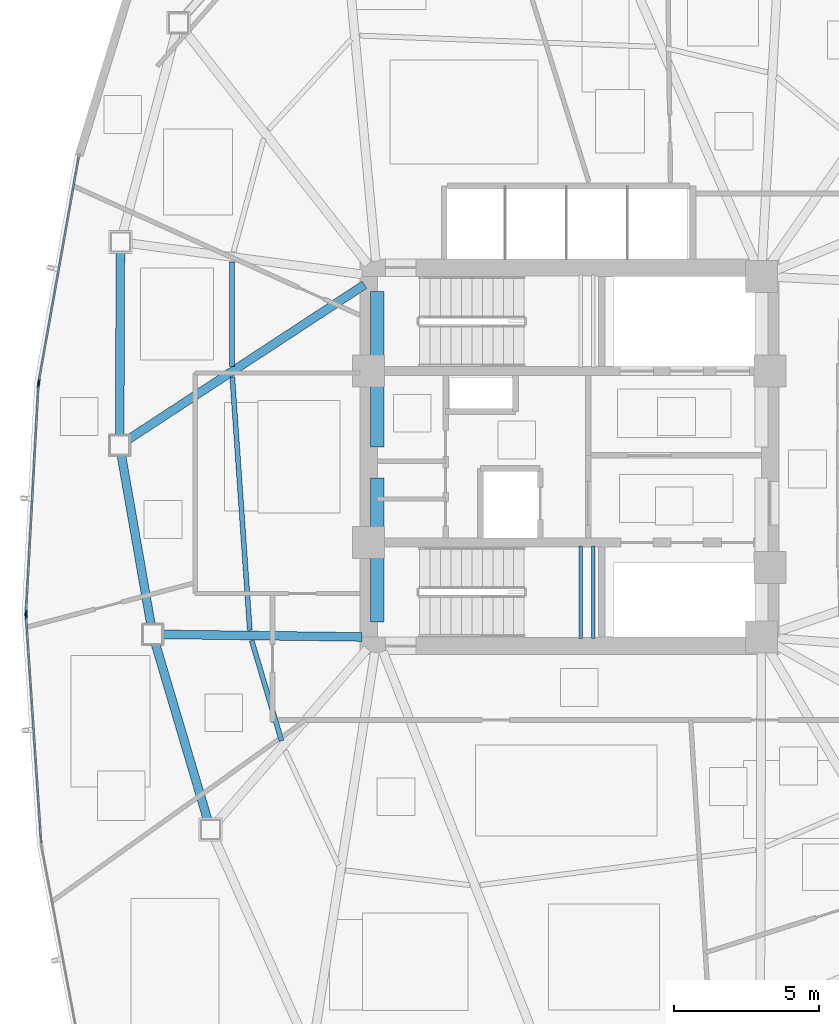
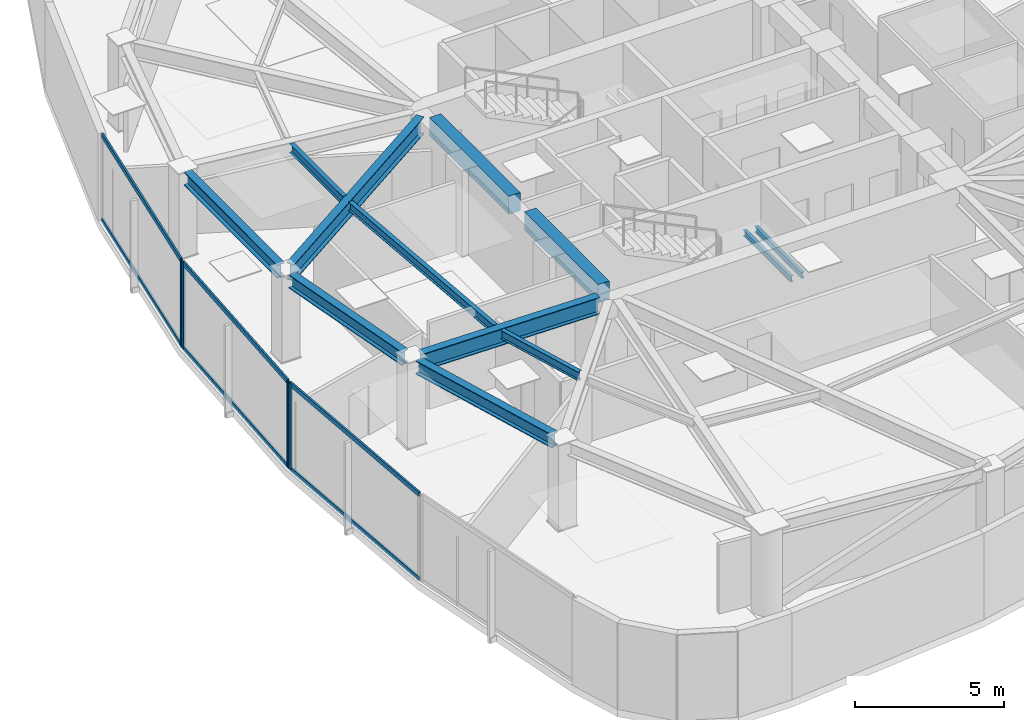
# One storey, part 4 of 17: 12 beams, 10 members, 3 elements without a shape of their own.
"""IFC4 building model written with IfcOpenShell, lengths in metres."""

from ifc_helpers import new_model, si_unit, direction, frame, origin, origin_2d, place, context, subcontext, project, spatial, rectangle, hollow_rectangle, i_section, extrude, source, transform, mapped, material, layer, layer_set, material_profile, profile_set, type_object, type_shapes, element, aggregate, save


model = new_model("IFC4")

# Units and contexts
model_context = context("Model", 3, precision=1e-05, world=origin(), true_north=direction((0.0, 1.0)))
body_context = subcontext(model_context, "Body", "Model", "MODEL_VIEW")
ifc_project = project(units=[si_unit("LENGTHUNIT", "METRE"), si_unit("AREAUNIT", "SQUARE_METRE"), si_unit("VOLUMEUNIT", "CUBIC_METRE"), si_unit("PLANEANGLEUNIT", "RADIAN"), si_unit("MASSUNIT", "GRAM", prefix="KILO")], contexts=[model_context])

# Site, building, storey
site_placement = place(None, origin())
site = spatial("IfcSite", under=ifc_project, at=site_placement, CompositionType="ELEMENT")
building_placement = place(site_placement, origin())
building = spatial("IfcBuilding", under=site, at=building_placement, Name="Tavelor Broadcast Tower", CompositionType="ELEMENT")
storey_placement = place(building_placement, frame((0.0, 0.0, 131.0)))
storey = spatial("IfcBuildingStorey", under=building, at=storey_placement, Name="L30", CompositionType="ELEMENT", Elevation=131.0)

# Beams
ifc_material_1 = material(Name="Concrete C40/50", Category="concrete")
ifc_material_profile_1 = material_profile(ifc_material_1, rectangle(XDim=0.449951171875, YDim=0.75, at=origin_2d()), Name="RC 450x750")
ifc_profile_set_1 = profile_set([ifc_material_profile_1], Name="Concrete C40/50")
beam_type_1 = type_object("IfcBeamType", Name="Basement Core Trim Beam 450x750", PredefinedType="BEAM", material=ifc_profile_set_1)
beam_1_placement = place(storey_placement, frame((43.39990234375, 45.327880859375, 3.175048828125), z_axis=(0.0, 1.0, 0.0), x_axis=(-1.0, 0.0, 0.0)))
element("IfcBeam", 1, at=beam_1_placement, inside=storey, type_object=beam_type_1, Name="L30 Core West-N Tie Girder", PredefinedType="BEAM", context=body_context, shape_type="SweptSolid", body=[
    extrude(rectangle(XDim=0.449951171875, YDim=0.75, at=origin_2d()), origin(), (0.0, 0.0, 1.0), 5.34423828125),
])
beam_2_placement = place(storey_placement, frame((43.39990234375, 39.327880859375, 3.175048828125), z_axis=(0.0, 1.0, 0.0), x_axis=(-1.0, 0.0, 0.0)))
element("IfcBeam", 2, at=beam_2_placement, inside=storey, type_object=beam_type_1, Name="L30 Core West-S Tie Girder", PredefinedType="BEAM", context=body_context, shape_type="SweptSolid", body=[
    extrude(rectangle(XDim=0.449951171875, YDim=0.75, at=origin_2d()), origin(), (0.0, 0.0, 1.0), 4.944091796875),
])
ifc_material_2 = material(Name="Steel S355", Category="steel")
ifc_material_profile_2 = material_profile(ifc_material_2, i_section(OverallWidth=0.169921875, OverallDepth=0.360107421875, WebThickness=0.008056640625, FlangeThickness=0.0126953125, at=origin_2d()), Name="IPE 360")
ifc_profile_set_2 = profile_set([ifc_material_profile_2], Name="Steel S355")
beam_type_2 = type_object("IfcBeamType", Name="Composite Floor Joist T3 IPE 360", PredefinedType="JOIST", material=ifc_profile_set_2)
beam_3_placement = place(storey_placement, frame((38.413818359375, 51.685302734375, 3.3701171875), z_axis=(-0.002320654457, -0.999997307278, 0.0), x_axis=(0.999997307278, -0.002320654457, 0.0)))
element("IfcBeam", 3, at=beam_3_placement, inside=storey, type_object=beam_type_2, Name="L30 Secondary Composite Floor Joist 03", PredefinedType="JOIST", context=body_context, shape_type="SweptSolid", body=[
    extrude(i_section(OverallWidth=0.169921875, OverallDepth=0.360107421875, WebThickness=0.008056640625, FlangeThickness=0.0126953125, at=origin_2d()), origin(), (0.0, 0.0, 1.0), 3.576904296875),
])
beam_4_placement = place(storey_placement, frame((38.41748046875, 47.74658203125, 3.3701171875), z_axis=(0.069100565304, -0.997609699168, 0.0), x_axis=(0.997609699168, 0.069100565304, 0.0)))
element("IfcBeam", 4, at=beam_4_placement, inside=storey, type_object=beam_type_2, Name="L30 Secondary Composite Floor Joist 04", PredefinedType="JOIST", context=body_context, shape_type="SweptSolid", body=[
    extrude(i_section(OverallWidth=0.169921875, OverallDepth=0.360107421875, WebThickness=0.008056640625, FlangeThickness=0.0126953125, at=origin_2d()), origin(), (0.0, 0.0, 1.0), 8.730224609375),
])
beam_5_placement = place(storey_placement, frame((39.084716796875, 38.68310546875, 3.3701171875), z_axis=(0.285203072184, -0.958467113477, 0.0), x_axis=(0.958467113477, 0.285203072184, 0.0)))
element("IfcBeam", 5, at=beam_5_placement, inside=storey, type_object=beam_type_2, Name="L30 Secondary Composite Floor Joist 05", PredefinedType="JOIST", context=body_context, shape_type="SweptSolid", body=[
    extrude(i_section(OverallWidth=0.169921875, OverallDepth=0.360107421875, WebThickness=0.008056640625, FlangeThickness=0.0126953125, at=origin_2d()), origin(), (0.0, 0.0, 1.0), 3.593505859375),
])
ifc_material_profile_3 = material_profile(ifc_material_2, i_section(OverallWidth=0.300048828125, OverallDepth=0.550048828125, WebThickness=0.014892578125, FlangeThickness=0.029052734375, at=origin_2d()), Name="HEB 550")
ifc_profile_set_3 = profile_set([ifc_material_profile_3], Name="Steel S355")
beam_type_3 = type_object("IfcBeamType", Name="Perimeter Spandrel Beam T3 HEB 550", PredefinedType="SPANDREL", material=ifc_profile_set_3)
beam_6_placement = place(storey_placement, frame((34.57373046875, 52.043212890625, 3.27490234375), z_axis=(-0.00410245019, -0.999991584916, 0.0), x_axis=(0.999991584916, -0.00410245019, 0.0)))
element("IfcBeam", 6, at=beam_6_placement, inside=storey, type_object=beam_type_3, Name="L30 Framed-Tube Ring Spandrel 03", PredefinedType="SPANDREL", context=body_context, shape_type="SweptSolid", body=[
    extrude(i_section(OverallWidth=0.300048828125, OverallDepth=0.550048828125, WebThickness=0.014892578125, FlangeThickness=0.029052734375, at=origin_2d()), origin(), (0.0, 0.0, 1.0), 6.30810546875),
])
beam_7_placement = place(storey_placement, frame((34.604248046875, 45.068115234375, 3.27490234375), z_axis=(0.17197754126, -0.985100870623, 0.0), x_axis=(0.985100870623, 0.17197754126, 0.0)))
element("IfcBeam", 7, at=beam_7_placement, inside=storey, type_object=beam_type_3, Name="L30 Framed-Tube Ring Spandrel 04", PredefinedType="SPANDREL", context=body_context, shape_type="SweptSolid", body=[
    extrude(i_section(OverallWidth=0.300048828125, OverallDepth=0.550048828125, WebThickness=0.014892578125, FlangeThickness=0.029052734375, at=origin_2d()), origin(), (0.0, 0.0, 1.0), 5.925537109375),
])
beam_8_placement = place(storey_placement, frame((35.7763671875, 38.57763671875, 3.27490234375), z_axis=(0.283996338182, -0.958825364652, 0.0), x_axis=(0.958825364652, 0.283996338182, 0.0)))
element("IfcBeam", 8, at=beam_8_placement, inside=storey, type_object=beam_type_3, Name="L30 Framed-Tube Ring Spandrel 05", PredefinedType="SPANDREL", context=body_context, shape_type="SweptSolid", body=[
    extrude(i_section(OverallWidth=0.300048828125, OverallDepth=0.550048828125, WebThickness=0.014892578125, FlangeThickness=0.029052734375, at=origin_2d()), origin(), (0.0, 0.0, 1.0), 6.325439453125),
])
ifc_material_profile_4 = material_profile(ifc_material_2, i_section(OverallWidth=0.300048828125, OverallDepth=0.68994140625, WebThickness=0.014404296875, FlangeThickness=0.027099609375, at=origin_2d()), Name="HEA 700")
ifc_profile_set_4 = profile_set([ifc_material_profile_4], Name="Steel S355")
beam_type_4 = type_object("IfcBeamType", Name="Radial Floor Girder T3 HEA 700", PredefinedType="BEAM", material=ifc_profile_set_4)
beam_9_placement = place(storey_placement, frame((42.95849609375, 50.91064453125, 3.205078125), z_axis=(-0.836455571638, -0.548034740391, 0.0), x_axis=(0.548034740391, -0.836455571638, 0.0)))
element("IfcBeam", 9, at=beam_9_placement, inside=storey, type_object=beam_type_4, Name="L30 Radial Primary Floor Girder 04", PredefinedType="BEAM", context=body_context, shape_type="SweptSolid", body=[
    extrude(i_section(OverallWidth=0.300048828125, OverallDepth=0.68994140625, WebThickness=0.014404296875, FlangeThickness=0.027099609375, at=origin_2d()), origin(), (0.0, 0.0, 1.0), 9.720947265625),
])
beam_10_placement = place(storey_placement, frame((42.8720703125, 38.806884765625, 3.205078125), z_axis=(-0.999916440376, 0.012927190963, 0.0), x_axis=(-0.012927190963, -0.999916440376, 0.0)))
element("IfcBeam", 10, at=beam_10_placement, inside=storey, type_object=beam_type_4, Name="L30 Radial Primary Floor Girder 05", PredefinedType="BEAM", context=body_context, shape_type="SweptSolid", body=[
    extrude(i_section(OverallWidth=0.300048828125, OverallDepth=0.68994140625, WebThickness=0.014404296875, FlangeThickness=0.027099609375, at=origin_2d()), origin(), (0.0, 0.0, 1.0), 6.85546875),
])
ifc_material_profile_5 = material_profile(ifc_material_2, i_section(OverallWidth=0.1201171875, OverallDepth=0.239990234375, WebThickness=0.006103515625, FlangeThickness=0.009765625, at=origin_2d()), Name="IPE 240")
ifc_profile_set_5 = profile_set([ifc_material_profile_5], Name="Steel S355")
beam_type_5 = type_object("IfcBeamType", Name="Stairwell Landing Support Trimmer Beam IPE240", PredefinedType="BEAM", material=ifc_profile_set_5)
for number, where, z_axis, x_axis, name in (
    (11, (50.385009765625, 38.760009765625, 1.610107421875), (0.0, 1.0, 0.0), (-1.0, 0.0, 0.0), "L30 Stair Landing Support Beam 307"),
    (12, (50.824951171875, 38.760009765625, 1.610107421875), (0.0, 1.0, 0.0), (-1.0, 0.0, 0.0), "L30 Stair Landing Support Beam 308"),
):
    element("IfcBeam", number, at=place(storey_placement, frame(where, z_axis=z_axis, x_axis=x_axis)), inside=storey, type_object=beam_type_5, Name=name, PredefinedType="BEAM", context=body_context, shape_type="SweptSolid", body=[
        extrude(i_section(OverallWidth=0.1201171875, OverallDepth=0.239990234375, WebThickness=0.006103515625, FlangeThickness=0.009765625, at=origin_2d()), origin(), (0.0, 0.0, 1.0), 3.179931640625),
    ])

# Curtain wall, member
ifc_material_3 = material(Name="Architectural Anodized Aluminium", Category="aluminium")
ifc_layer = layer(ifc_material_3, 0.18994140625)
ifc_layer_set = layer_set([ifc_layer], Name="Architectural Anodized Aluminium")
curtain_wall_type = type_object("IfcCurtainWallType", Name="Tower Mid-Zone Acoustic Curtain Wall CW03", PredefinedType="NOTDEFINED", material=ifc_layer_set)
curtain_wall_1_placement = place(storey_placement, origin())
curtain_wall_1 = element("IfcCurtainWall", 13, at=curtain_wall_1_placement, inside=storey, type_object=curtain_wall_type, Name="L30 Curtain Wall CW03 Run 301", PredefinedType="NOTDEFINED")
ifc_material_profile_6 = material_profile(ifc_material_3, hollow_rectangle(XDim=0.068115234375, YDim=0.18994140625, WallThickness=0.02197265625, at=origin_2d()), Name="RHS 68x190x22")
ifc_profile_set_6 = profile_set([ifc_material_profile_6], Name="Architectural Anodized Aluminium")
member_type_1 = type_object("IfcMemberType", Name="CW03 Extruded Aluminium Mullion 68x190", PredefinedType="MULLION", material=ifc_profile_set_6)
shared_shape_1 = source(origin(), body_context, "Body", "SweptSolid", [
    extrude(hollow_rectangle(XDim=0.068115234375, YDim=0.18994140625, WallThickness=0.02197265625, at=origin_2d()), origin(), (0.0, 0.0, 1.0), 3.550048828125),
])
type_shapes(member_type_1, [shared_shape_1])
member_1_placement = place(storey_placement, frame((31.77001953125, 47.574951171875, 0.0), z_axis=(0.0, 0.0, 1.0), x_axis=(0.984578954296, -0.174940797866, 0.0)))
member_1 = element("IfcMember", 14, at=member_1_placement, type_object=member_type_1, Name="CW03 mullion 2", PredefinedType="MULLION", context=body_context, shape_type="MappedRepresentation", body=[
    mapped(shared_shape_1, transform((0.0, 0.0, 0.0), scale=1.0)),
])

# Curtain wall, members
curtain_wall_2_placement = place(storey_placement, origin())
curtain_wall_2 = element("IfcCurtainWall", 15, at=curtain_wall_2_placement, inside=storey, type_object=curtain_wall_type, Name="L30 Curtain Wall CW03 Run 302", PredefinedType="NOTDEFINED")
member_2_placement = place(storey_placement, frame((31.7587890625, 47.477783203125, 0.0), z_axis=(0.0, 0.0, 1.0), x_axis=(0.998513822865, -0.054499041717, 0.0)))
member_2 = element("IfcMember", 16, at=member_2_placement, type_object=member_type_1, Name="CW03 mullion 1", PredefinedType="MULLION", context=body_context, shape_type="MappedRepresentation", body=[
    mapped(shared_shape_1, transform((0.0, 0.0, 0.0), scale=1.0)),
])
member_3_placement = place(storey_placement, frame((31.33056640625, 39.634521484375, 0.0), z_axis=(0.0, 0.0, 1.0), x_axis=(0.998513822865, -0.054499041717, 0.0)))
member_3 = element("IfcMember", 17, at=member_3_placement, type_object=member_type_1, Name="CW03 mullion 2", PredefinedType="MULLION", context=body_context, shape_type="MappedRepresentation", body=[
    mapped(shared_shape_1, transform((0.0, 0.0, 0.0), scale=1.0)),
])

# Curtain wall, member
curtain_wall_3_placement = place(storey_placement, origin())
curtain_wall_3 = element("IfcCurtainWall", 18, at=curtain_wall_3_placement, inside=storey, type_object=curtain_wall_type, Name="L30 Curtain Wall CW03 Run 303", PredefinedType="NOTDEFINED")
member_4_placement = place(storey_placement, frame((31.331298828125, 39.53662109375, 0.0), z_axis=(0.0, 0.0, 1.0), x_axis=(0.997772014583, 0.06671586704, 0.0)))
member_4 = element("IfcMember", 19, at=member_4_placement, type_object=member_type_1, Name="CW03 mullion 1", PredefinedType="MULLION", context=body_context, shape_type="MappedRepresentation", body=[
    mapped(shared_shape_1, transform((0.0, 0.0, 0.0), scale=1.0)),
])

# Member
ifc_material_profile_7 = material_profile(ifc_material_3, hollow_rectangle(XDim=0.068115234375, YDim=0.18994140625, WallThickness=0.02197265625, at=origin_2d()), Name="RHS 68x190x22")
ifc_profile_set_7 = profile_set([ifc_material_profile_7], Name="Architectural Anodized Aluminium")
member_type_2 = type_object("IfcMemberType", Name="CW03 Extruded Aluminium Transom 68x190", PredefinedType="USERDEFINED", material=ifc_profile_set_7)
shared_shape_2 = source(origin(), body_context, "Body", "SweptSolid", [
    extrude(hollow_rectangle(XDim=0.068115234375, YDim=0.18994140625, WallThickness=0.02197265625, at=origin_2d()), origin(), (0.0, 0.0, 1.0), 7.786865234375),
])
member_5_placement = place(storey_placement, frame((31.7568359375, 47.44384765625, 0.033935546875), z_axis=(-0.054490637444, -0.998514281536, 0.0), x_axis=(0.998514281536, -0.054490637444, 0.0)))
member_5 = element("IfcMember", 20, at=member_5_placement, type_object=member_type_2, Name="CW03 transom 1.1", ObjectType="TRANSOM", PredefinedType="USERDEFINED", context=body_context, shape_type="MappedRepresentation", body=[
    mapped(shared_shape_2, transform((0.0, 0.0, 0.0), scale=1.0)),
])

member_6_placement = place(storey_placement, frame((31.7568359375, 47.44384765625, 3.51611328125), z_axis=(-0.054490637444, -0.998514281536, 0.0), x_axis=(0.998514281536, -0.054490637444, 0.0)))
member_6 = element("IfcMember", 21, at=member_6_placement, type_object=member_type_2, Name="CW03 transom 1.2", ObjectType="TRANSOM", PredefinedType="USERDEFINED", context=body_context, shape_type="MappedRepresentation", body=[
    mapped(shared_shape_2, transform((0.0, 0.0, 0.0), scale=1.0)),
])

aggregate(curtain_wall_2, [member_2, member_3, member_5, member_6])

shared_shape_3 = source(origin(), body_context, "Body", "SweptSolid", [
    extrude(hollow_rectangle(XDim=0.068115234375, YDim=0.18994140625, WallThickness=0.02197265625, at=origin_2d()), origin(), (0.0, 0.0, 1.0), 7.787109375),
])
member_7_placement = place(storey_placement, frame((31.33349609375, 39.502685546875, 0.033935546875), z_axis=(0.066716692211, -0.997771959408, 0.0), x_axis=(0.997771959408, 0.066716692211, 0.0)))
member_7 = element("IfcMember", 22, at=member_7_placement, type_object=member_type_2, Name="CW03 transom 1.1", ObjectType="TRANSOM", PredefinedType="USERDEFINED", context=body_context, shape_type="MappedRepresentation", body=[
    mapped(shared_shape_3, transform((0.0, 0.0, 0.0), scale=1.0)),
])

member_8_placement = place(storey_placement, frame((31.33349609375, 39.502685546875, 3.51611328125), z_axis=(0.066716692211, -0.997771959408, 0.0), x_axis=(0.997771959408, 0.066716692211, 0.0)))
member_8 = element("IfcMember", 23, at=member_8_placement, type_object=member_type_2, Name="CW03 transom 1.2", ObjectType="TRANSOM", PredefinedType="USERDEFINED", context=body_context, shape_type="MappedRepresentation", body=[
    mapped(shared_shape_3, transform((0.0, 0.0, 0.0), scale=1.0)),
])

aggregate(curtain_wall_3, [member_4, member_7, member_8])

shared_shape_4 = source(origin(), body_context, "Body", "SweptSolid", [
    extrude(hollow_rectangle(XDim=0.068115234375, YDim=0.18994140625, WallThickness=0.02197265625, at=origin_2d()), origin(), (0.0, 0.0, 1.0), 7.80224609375),
])
type_shapes(member_type_2, [shared_shape_2, shared_shape_3, shared_shape_4])
member_9_placement = place(storey_placement, frame((33.140869140625, 55.290283203125, 0.033935546875), z_axis=(-0.174949077026, -0.984577483212, 0.0), x_axis=(0.984577483212, -0.174949077026, 0.0)))
member_9 = element("IfcMember", 24, at=member_9_placement, type_object=member_type_2, Name="CW03 transom 1.1", ObjectType="TRANSOM", PredefinedType="USERDEFINED", context=body_context, shape_type="MappedRepresentation", body=[
    mapped(shared_shape_4, transform((0.0, 0.0, 0.0), scale=1.0)),
])

member_10_placement = place(storey_placement, frame((33.140869140625, 55.290283203125, 3.51611328125), z_axis=(-0.174949077026, -0.984577483212, 0.0), x_axis=(0.984577483212, -0.174949077026, 0.0)))
member_10 = element("IfcMember", 25, at=member_10_placement, type_object=member_type_2, Name="CW03 transom 1.2", ObjectType="TRANSOM", PredefinedType="USERDEFINED", context=body_context, shape_type="MappedRepresentation", body=[
    mapped(shared_shape_4, transform((0.0, 0.0, 0.0), scale=1.0)),
])

aggregate(curtain_wall_1, [member_1, member_9, member_10])

save(model, "model.ifc")
